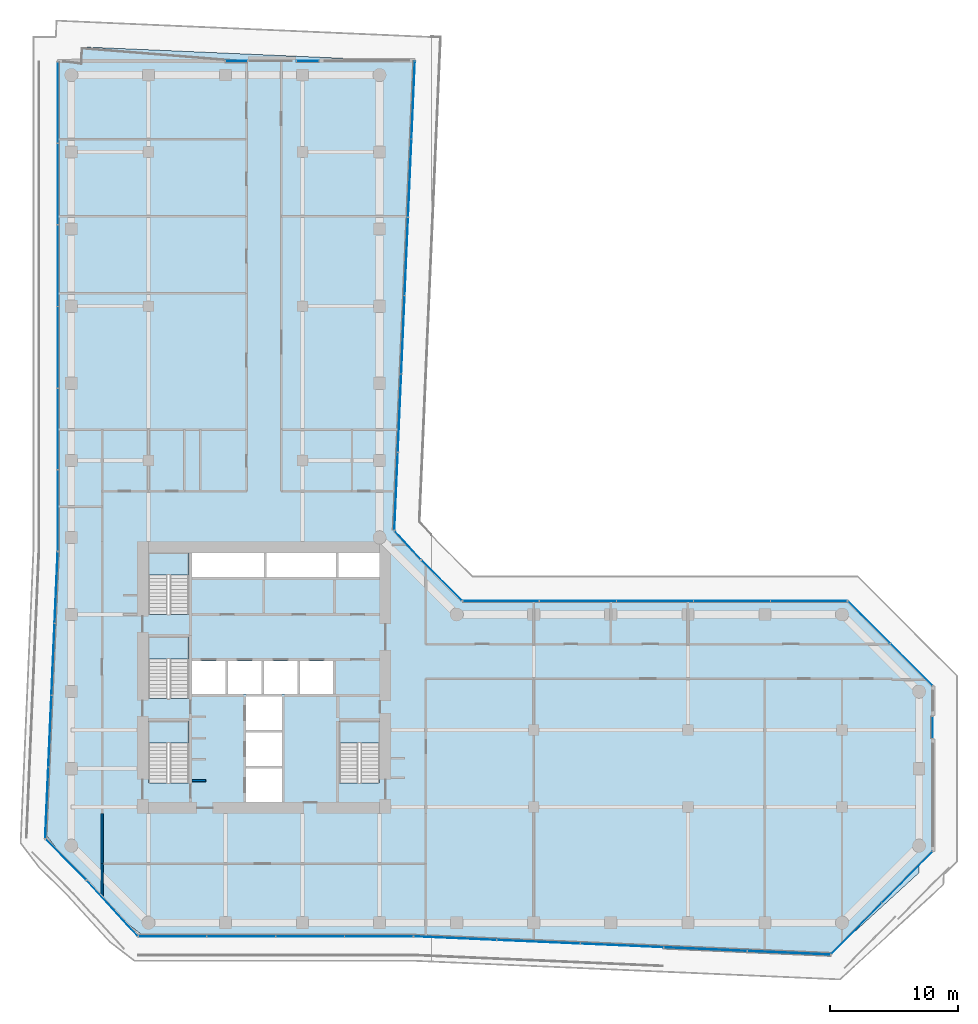
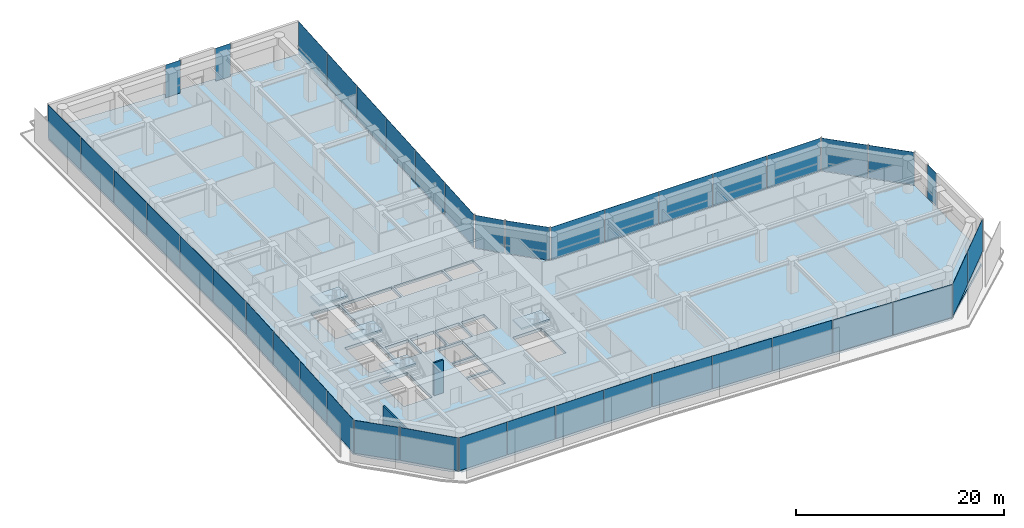
# One storey, part 22 of 29: 41 plates, 5 slabs, 3 walls, 19 elements without a shape of their own.
"""IFC4 building model written with IfcOpenShell, lengths in metres."""

import ifcopenshell
import ifcopenshell.guid

model = None  # the IFC model being written
_history = None  # IfcOwnerHistory: only IFC2X3 demands one
_inside = {}  # id of a spatial element -> (the spatial element, [elements in it])
_under = {}  # id of a project, library or spatial element -> (it, [spatial elements below it])
_declared = {}  # id of a project -> (the project, [libraries it declares])
_typed = {}  # id of a type object -> (the type object, [elements of that type])
_made_of = {}  # id of a material, layer set ... -> (it, [elements and type objects made of it])


def new_model(schema):
    """Start an empty IFC model of exactly this schema.

    Asked for "IFC4X3", IfcOpenShell would pick the latest addendum, in which some entities
    have other attributes; the version numbers below select the first issue.
    IFC2X3 requires an IfcOwnerHistory on every rooted entity: one is made here for all.
    """
    global model, _history
    if schema == "IFC4X3":
        model = ifcopenshell.file(schema_version=(4, 3, 0, 0))
    else:
        model = ifcopenshell.file(schema=schema)
    _inside.clear()
    _under.clear()
    _declared.clear()
    _typed.clear()
    _made_of.clear()
    _history = None
    if model.schema == "IFC2X3":
        org = make("IfcOrganization", Name="unknown")
        user = make(
            "IfcPersonAndOrganization",
            ThePerson=make("IfcPerson", FamilyName="unknown"),
            TheOrganization=org,
        )
        app = make(
            "IfcApplication",
            ApplicationDeveloper=org,
            Version="unknown",
            ApplicationFullName="unknown",
            ApplicationIdentifier="unknown",
        )
        _history = make(
            "IfcOwnerHistory",
            OwningUser=user,
            OwningApplication=app,
            ChangeAction="ADDED",
            CreationDate=0,
        )
    return model


def make(cls, **values):
    """One entity of the class cls with the attributes given. An attribute that is None is left unset."""
    return model.create_entity(
        cls, **{name: value for name, value in values.items() if value is not None}
    )


def rooted(cls, **values):
    """An entity with a GlobalId (a new one), such as an element, a storey or a relation."""
    return make(cls, GlobalId=ifcopenshell.guid.new(), OwnerHistory=_history, **values)


def si_unit(unit_type, name, prefix=None):
    """IfcSIUnit, for example si_unit("LENGTHUNIT", "METRE", prefix="MILLI")."""
    return make("IfcSIUnit", UnitType=unit_type, Prefix=prefix, Name=name)


def assignment(units):
    """IfcUnitAssignment: the units of a project."""
    return None if units is None else make("IfcUnitAssignment", Units=units)


def point(xyz):
    """IfcCartesianPoint."""
    return None if xyz is None else make("IfcCartesianPoint", Coordinates=xyz)


def direction(xyz):
    """IfcDirection."""
    return None if xyz is None else make("IfcDirection", DirectionRatios=xyz)


def frame(location, z_axis=None, x_axis=None):
    """IfcAxis2Placement3D, a coordinate frame: its origin and axes. An axis left out is left unset."""
    return make(
        "IfcAxis2Placement3D",
        Location=point(location),
        Axis=direction(z_axis),
        RefDirection=direction(x_axis),
    )


def frame_2d(location, x_axis=None):
    """IfcAxis2Placement2D, a coordinate frame in the plane: its origin and x axis."""
    return make(
        "IfcAxis2Placement2D", Location=point(location), RefDirection=direction(x_axis)
    )


def origin():
    """The frame at (0, 0, 0) with its axes left unset."""
    return frame((0.0, 0.0, 0.0))


def origin_2d():
    """The frame at (0, 0) in the plane with its x axis left unset."""
    return frame_2d((0.0, 0.0))


def place(relative_to, where):
    """IfcLocalPlacement: puts the frame where relative to a parent placement (None: the world)."""
    return make(
        "IfcLocalPlacement", PlacementRelTo=relative_to, RelativePlacement=where
    )


def context(
    kind, dimensions, precision=None, world=None, true_north=None, identifier=None
):
    """IfcGeometricRepresentationContext, for example the 3D "Model" context."""
    return make(
        "IfcGeometricRepresentationContext",
        ContextIdentifier=identifier,
        ContextType=kind,
        CoordinateSpaceDimension=dimensions,
        Precision=precision,
        WorldCoordinateSystem=world,
        TrueNorth=true_north,
    )


def subcontext(parent, identifier, kind, view, scale=None):
    """IfcGeometricRepresentationSubContext, for example "Body" below "Model"."""
    return make(
        "IfcGeometricRepresentationSubContext",
        ContextIdentifier=identifier,
        ContextType=kind,
        ParentContext=parent,
        TargetScale=scale,
        TargetView=view,
    )


def project(units=None, contexts=None):
    """IfcProject with its units and contexts."""
    return rooted(
        "IfcProject",
        Name="project",
        RepresentationContexts=contexts,
        UnitsInContext=assignment(units),
    )


def spatial(cls, under=None, at=None, **own):
    """A site, building, storey or space (cls), placed at a placement, below another one or the project."""
    s = rooted(cls, ObjectPlacement=at, **own)
    if under is not None:
        _under.setdefault(under.id(), (under, []))[1].append(s)
    return s


def polyline(points):
    """IfcPolyline through the points."""
    return make("IfcPolyline", Points=[point(p) for p in points])


def profile(cls, at=None, kind="AREA", **sizes):
    """A parametric profile (cls). Its sizes go by their IFC names, for example OverallWidth=200.0."""
    return make(cls, ProfileType=kind, Position=at, **sizes)


def rectangle(**sizes):
    """IfcRectangleProfileDef."""
    return profile("IfcRectangleProfileDef", **sizes)


def outline(outer, holes=None, kind="AREA"):
    """IfcArbitraryClosedProfileDef: a profile drawn as a closed curve; with holes, ...WithVoids."""
    if holes is None:
        return make("IfcArbitraryClosedProfileDef", ProfileType=kind, OuterCurve=outer)
    return make(
        "IfcArbitraryProfileDefWithVoids",
        ProfileType=kind,
        OuterCurve=outer,
        InnerCurves=holes,
    )


def extrude(swept, where, along, depth):
    """IfcExtrudedAreaSolid: the profile swept, set in the frame where, extruded along a direction by depth."""
    return make(
        "IfcExtrudedAreaSolid",
        SweptArea=swept,
        Position=where,
        ExtrudedDirection=direction(along),
        Depth=depth,
    )


def shape(context_of_items, identifier, shape_type, items):
    """IfcShapeRepresentation: the items that make up one representation, for example the "Body"."""
    return make(
        "IfcShapeRepresentation",
        ContextOfItems=context_of_items,
        RepresentationIdentifier=identifier,
        RepresentationType=shape_type,
        Items=items,
    )


def material(Name=None, Category=None):
    """IfcMaterial."""
    return make("IfcMaterial", Name=Name, Category=Category)


def layer(
    of_material, thickness, ventilated=None, Name=None, Category=None, Priority=None
):
    """IfcMaterialLayer: one layer of a wall or slab, of a material (None: an air gap)."""
    return make(
        "IfcMaterialLayer",
        Material=of_material,
        LayerThickness=thickness,
        IsVentilated=ventilated,
        Name=Name,
        Category=Category,
        Priority=Priority,
    )


def layer_set(layers, Name=None):
    """IfcMaterialLayerSet."""
    return make("IfcMaterialLayerSet", MaterialLayers=layers, LayerSetName=Name)


def made_of(thing, what):
    """Note that an element or type object is made of a material, layer set ...; save() writes the relation."""
    if what is not None:
        _made_of.setdefault(what.id(), (what, []))[1].append(thing)
    return thing


def type_object(cls, material=None, **own):
    """A type object (cls), such as IfcWallType, which elements share."""
    return made_of(rooted(cls, **own), material)


def element(
    cls,
    number,
    at=None,
    inside=None,
    cuts=None,
    type_object=None,
    material=None,
    context=None,
    identifier="Body",
    shape_type=None,
    held_by="IfcProductDefinitionShape",
    body=None,
    shapes=None,
    **own,
):
    """One element of the class cls, such as IfcWall. Its Tag is "e" and its number.

    at: its placement. inside: the storey or other place that contains it. cuts: it is an
    opening in that element (IfcRelVoidsElement). A single representation is given by context,
    identifier, shape_type and body (its items); several are given by shapes. held_by: the class
    of the entity that holds the representations. save() writes the other relations.
    """
    e = rooted(cls, Tag="e%d" % number, ObjectPlacement=at, **own)
    if body is not None:
        shapes = [shape(context, identifier, shape_type, body)]
    if shapes is not None:
        e.Representation = make(held_by, Representations=shapes)
    if inside is not None:
        _inside.setdefault(inside.id(), (inside, []))[1].append(e)
    if cuts is not None:
        rooted(
            "IfcRelVoidsElement", RelatingBuildingElement=cuts, RelatedOpeningElement=e
        )
    if type_object is not None:
        _typed.setdefault(type_object.id(), (type_object, []))[1].append(e)
    return made_of(e, material)


def aggregate(whole, parts):
    """IfcRelAggregates: a whole, such as a stair, and the parts it consists of."""
    return rooted("IfcRelAggregates", RelatingObject=whole, RelatedObjects=parts)


def save(model, path):
    """Write the relations noted so far, then the file.

    IfcRelAggregates (storeys below a building ...), IfcRelContainedInSpatialStructure (elements
    in a storey), IfcRelDefinesByType, IfcRelAssociatesMaterial and IfcRelDeclares: one each for
    every whole, place, type object, material and project.
    """
    for whole, parts in _under.values():
        aggregate(whole, parts)
    for where, things in _inside.values():
        rooted(
            "IfcRelContainedInSpatialStructure",
            RelatedElements=things,
            RelatingStructure=where,
        )
    for kind, things in _typed.values():
        rooted("IfcRelDefinesByType", RelatedObjects=things, RelatingType=kind)
    for what, things in _made_of.values():
        rooted("IfcRelAssociatesMaterial", RelatedObjects=things, RelatingMaterial=what)
    for by, libraries in _declared.values():
        rooted("IfcRelDeclares", RelatingContext=by, RelatedDefinitions=libraries)
    model.write(path)


model = new_model("IFC4")

# Units and contexts
model_context = context("Model", 3, precision=1e-05, world=origin(), true_north=direction((0.0, 1.0)))
body_context = subcontext(model_context, "Body", "Model", "MODEL_VIEW")
ifc_project = project(units=[si_unit("LENGTHUNIT", "METRE"), si_unit("AREAUNIT", "SQUARE_METRE"), si_unit("VOLUMEUNIT", "CUBIC_METRE"), si_unit("PLANEANGLEUNIT", "RADIAN"), si_unit("MASSUNIT", "GRAM", prefix="KILO")], contexts=[model_context])

# Site, building, storey
site_placement = place(None, origin())
site = spatial("IfcSite", under=ifc_project, at=site_placement, CompositionType="ELEMENT")
building_placement = place(site_placement, origin())
building = spatial("IfcBuilding", under=site, at=building_placement, Name="Welwitschia Terrace Campus", CompositionType="ELEMENT")
storey_placement = place(building_placement, frame((0.0, 0.0, 41.60009765625)))
storey = spatial("IfcBuildingStorey", under=building, at=storey_placement, Name="L09", CompositionType="ELEMENT", Elevation=41.60009765625)

# Curtain wall, plates
ifc_material_1 = material(Name="Bronze anodised aluminium", Category="aluminium")
ifc_layer_1 = layer(ifc_material_1, 0.1201171875)
ifc_layer_set_1 = layer_set([ifc_layer_1], Name="Bronze anodised aluminium")
curtain_wall_type = type_object("IfcCurtainWallType", Name="Curtain wall CW2 tower 6000", PredefinedType="NOTDEFINED", material=ifc_layer_set_1)
curtain_wall_1_placement = place(storey_placement, origin())
curtain_wall_1 = element("IfcCurtainWall", 1, at=curtain_wall_1_placement, inside=storey, type_object=curtain_wall_type, Name="CW L09.0.0", PredefinedType="NOTDEFINED")
ifc_material_2 = material(Name="Tinted bronze-grey glass", Category="glass")
ifc_layer_2 = layer(ifc_material_2, 0.028076171875)
ifc_layer_set_2 = layer_set([ifc_layer_2], Name="Tinted bronze-grey glass")
plate_type = type_object("IfcPlateType", Name="Glass panel 28 tinted", PredefinedType="CURTAIN_PANEL", material=ifc_layer_set_2)
plate_1_placement = place(storey_placement, frame((-1.1806640625, 22.092529296875, -0.000244140625), z_axis=(0.0, 0.0, 1.0), x_axis=(-0.043619387365, -0.999048221582, 0.0)))
plate_1 = element("IfcPlate", 2, at=plate_1_placement, type_object=plate_type, Name="Panel L09.0.0.0", PredefinedType="CURTAIN_PANEL", context=body_context, shape_type="SweptSolid", body=[
    extrude(rectangle(XDim=5.506591796875, YDim=0.028076171875, at=origin_2d()), origin(), (0.0, 0.0, 1.0), 3.85009765625),
])
plate_2_placement = place(storey_placement, frame((-1.424072265625, 16.516357421875, -0.000244140625), z_axis=(0.0, 0.0, 1.0), x_axis=(-0.043619387365, -0.999048221582, 0.0)))
plate_2 = element("IfcPlate", 3, at=plate_2_placement, type_object=plate_type, Name="Panel L09.0.0.1", PredefinedType="CURTAIN_PANEL", context=body_context, shape_type="SweptSolid", body=[
    extrude(rectangle(XDim=5.53662109375, YDim=0.028076171875, at=origin_2d()), origin(), (0.0, 0.0, 1.0), 3.85009765625),
])
plate_3_placement = place(storey_placement, frame((-1.668212890625, 10.925048828125, -0.000244140625), z_axis=(0.0, 0.0, 1.0), x_axis=(-0.043619387365, -0.999048221582, 0.0)))
plate_3 = element("IfcPlate", 4, at=plate_3_placement, type_object=plate_type, Name="Panel L09.0.0.2", PredefinedType="CURTAIN_PANEL", context=body_context, shape_type="SweptSolid", body=[
    extrude(rectangle(XDim=5.53662109375, YDim=0.028076171875, at=origin_2d()), origin(), (0.0, 0.0, 1.0), 3.85009765625),
])
plate_4_placement = place(storey_placement, frame((-1.911865234375, 5.348876953125, -0.000244140625), z_axis=(0.0, 0.0, 1.0), x_axis=(-0.043619387365, -0.999048221582, 0.0)))
plate_4 = element("IfcPlate", 5, at=plate_4_placement, type_object=plate_type, Name="Panel L09.0.0.3", PredefinedType="CURTAIN_PANEL", context=body_context, shape_type="SweptSolid", body=[
    extrude(rectangle(XDim=5.506591796875, YDim=0.028076171875, at=origin_2d()), origin(), (0.0, 0.0, 1.0), 3.85009765625),
])
aggregate(curtain_wall_1, [plate_1, plate_2, plate_3, plate_4])

# Curtain wall, plate
curtain_wall_2_placement = place(storey_placement, origin())
curtain_wall_2 = element("IfcCurtainWall", 6, at=curtain_wall_2_placement, inside=storey, type_object=curtain_wall_type, Name="CW L09.1.0", PredefinedType="NOTDEFINED")
plate_5_placement = place(storey_placement, frame((-0.423828125, 0.927734375, -0.000244140625), z_axis=(0.0, 0.0, 1.0), x_axis=(0.707106781187, -0.707106781187, 0.0)))
plate_5 = element("IfcPlate", 7, at=plate_5_placement, type_object=plate_type, Name="Panel L09.1.0.0", PredefinedType="CURTAIN_PANEL", context=body_context, shape_type="SweptSolid", body=[
    extrude(rectangle(XDim=4.435302734375, YDim=0.028076171875, at=origin_2d()), origin(), (0.0, 0.0, 1.0), 3.85009765625),
])
aggregate(curtain_wall_2, [plate_5])

curtain_wall_3_placement = place(storey_placement, origin())
curtain_wall_3 = element("IfcCurtainWall", 8, at=curtain_wall_3_placement, inside=storey, type_object=curtain_wall_type, Name="CW L09.2.0", PredefinedType="NOTDEFINED")
plate_6_placement = place(storey_placement, frame((3.191162109375, -2.870361328125, -0.000244140625), z_axis=(0.0, 0.0, 1.0), x_axis=(0.675590207616, -0.73727733681, 0.0)))
plate_6 = element("IfcPlate", 9, at=plate_6_placement, type_object=plate_type, Name="Panel L09.2.0.0", PredefinedType="CURTAIN_PANEL", context=body_context, shape_type="SweptSolid", body=[
    extrude(rectangle(XDim=5.814208984375, YDim=0.028076171875, at=origin_2d()), origin(), (0.0, 0.0, 1.0), 3.85009765625),
])
aggregate(curtain_wall_3, [plate_6])

# Curtain wall, plates
curtain_wall_4_placement = place(storey_placement, origin())
curtain_wall_4 = element("IfcCurtainWall", 10, at=curtain_wall_4_placement, inside=storey, type_object=curtain_wall_type, Name="CW L09.3.0", PredefinedType="NOTDEFINED")
plate_7_placement = place(storey_placement, frame((7.8896484375, -5.05810546875, -0.000244140625), z_axis=(0.0, 0.0, 1.0), x_axis=(1.0, 0.0, 0.0)))
plate_7 = element("IfcPlate", 11, at=plate_7_placement, type_object=plate_type, Name="Panel L09.3.0.0", PredefinedType="CURTAIN_PANEL", context=body_context, shape_type="SweptSolid", body=[
    extrude(rectangle(XDim=5.26806640625, YDim=0.028076171875, at=origin_2d()), origin(), (0.0, 0.0, 1.0), 3.85009765625),
])
plate_8_placement = place(storey_placement, frame((13.23291015625, -5.05810546875, -0.000244140625), z_axis=(0.0, 0.0, 1.0), x_axis=(1.0, 0.0, 0.0)))
plate_8 = element("IfcPlate", 12, at=plate_8_placement, type_object=plate_type, Name="Panel L09.3.0.1", PredefinedType="CURTAIN_PANEL", context=body_context, shape_type="SweptSolid", body=[
    extrude(rectangle(XDim=5.298095703125, YDim=0.028076171875, at=origin_2d()), origin(), (0.0, 0.0, 1.0), 3.85009765625),
])
plate_9_placement = place(storey_placement, frame((18.591064453125, -5.05810546875, -0.000244140625), z_axis=(0.0, 0.0, 1.0), x_axis=(1.0, 0.0, 0.0)))
plate_9 = element("IfcPlate", 13, at=plate_9_placement, type_object=plate_type, Name="Panel L09.3.0.2", PredefinedType="CURTAIN_PANEL", context=body_context, shape_type="SweptSolid", body=[
    extrude(rectangle(XDim=5.298095703125, YDim=0.028076171875, at=origin_2d()), origin(), (0.0, 0.0, 1.0), 3.85009765625),
])
plate_10_placement = place(storey_placement, frame((23.93408203125, -5.05810546875, -0.000244140625), z_axis=(0.0, 0.0, 1.0), x_axis=(1.0, 0.0, 0.0)))
plate_10 = element("IfcPlate", 14, at=plate_10_placement, type_object=plate_type, Name="Panel L09.3.0.3", PredefinedType="CURTAIN_PANEL", context=body_context, shape_type="SweptSolid", body=[
    extrude(rectangle(XDim=5.26806640625, YDim=0.028076171875, at=origin_2d()), origin(), (0.0, 0.0, 1.0), 3.85009765625),
])
aggregate(curtain_wall_4, [plate_7, plate_8, plate_9, plate_10])

curtain_wall_5_placement = place(storey_placement, origin())
curtain_wall_5 = element("IfcCurtainWall", 15, at=curtain_wall_5_placement, inside=storey, type_object=curtain_wall_type, Name="CW L09.4.0", PredefinedType="NOTDEFINED")
plate_11_placement = place(storey_placement, frame((29.89306640625, -5.200439453125, -0.000244140625), z_axis=(0.0, 0.0, 1.0), x_axis=(0.999048221582, -0.043619387365, 0.0)))
plate_11 = element("IfcPlate", 16, at=plate_11_placement, type_object=plate_type, Name="Panel L09.4.0.0", PredefinedType="CURTAIN_PANEL", context=body_context, shape_type="SweptSolid", body=[
    extrude(rectangle(XDim=6.416015625, YDim=0.028076171875, at=origin_2d()), origin(), (0.0, 0.0, 1.0), 3.85009765625),
])
plate_12_placement = place(storey_placement, frame((36.377685546875, -5.483642578125, -0.000244140625), z_axis=(0.0, 0.0, 1.0), x_axis=(0.999048221582, -0.043619387365, 0.0)))
plate_12 = element("IfcPlate", 17, at=plate_12_placement, type_object=plate_type, Name="Panel L09.4.0.1", PredefinedType="CURTAIN_PANEL", context=body_context, shape_type="SweptSolid", body=[
    extrude(rectangle(XDim=6.44580078125, YDim=0.028076171875, at=origin_2d()), origin(), (0.0, 0.0, 1.0), 3.85009765625),
])
plate_13_placement = place(storey_placement, frame((42.87744140625, -5.767578125, -0.000244140625), z_axis=(0.0, 0.0, 1.0), x_axis=(0.999048221582, -0.043619387365, 0.0)))
plate_13 = element("IfcPlate", 18, at=plate_13_placement, type_object=plate_type, Name="Panel L09.4.0.2", PredefinedType="CURTAIN_PANEL", context=body_context, shape_type="SweptSolid", body=[
    extrude(rectangle(XDim=6.44580078125, YDim=0.028076171875, at=origin_2d()), origin(), (0.0, 0.0, 1.0), 3.85009765625),
])
plate_14_placement = place(storey_placement, frame((49.377197265625, -6.05126953125, -0.000244140625), z_axis=(0.0, 0.0, 1.0), x_axis=(0.999048221582, -0.043619387365, 0.0)))
plate_14 = element("IfcPlate", 19, at=plate_14_placement, type_object=plate_type, Name="Panel L09.4.0.3", PredefinedType="CURTAIN_PANEL", context=body_context, shape_type="SweptSolid", body=[
    extrude(rectangle(XDim=6.44580078125, YDim=0.028076171875, at=origin_2d()), origin(), (0.0, 0.0, 1.0), 3.85009765625),
])
plate_15_placement = place(storey_placement, frame((55.86181640625, -6.33447265625, -0.000244140625), z_axis=(0.0, 0.0, 1.0), x_axis=(0.999048221582, -0.043619387365, 0.0)))
plate_15 = element("IfcPlate", 20, at=plate_15_placement, type_object=plate_type, Name="Panel L09.4.0.4", PredefinedType="CURTAIN_PANEL", context=body_context, shape_type="SweptSolid", body=[
    extrude(rectangle(XDim=6.416015625, YDim=0.028076171875, at=origin_2d()), origin(), (0.0, 0.0, 1.0), 3.85009765625),
])
aggregate(curtain_wall_5, [plate_11, plate_12, plate_13, plate_14, plate_15])

curtain_wall_6_placement = place(storey_placement, origin())
curtain_wall_6 = element("IfcCurtainWall", 21, at=curtain_wall_6_placement, inside=storey, type_object=curtain_wall_type, Name="CW L09.5.0", PredefinedType="NOTDEFINED")
plate_16_placement = place(storey_placement, frame((61.1201171875, -4.45654296875, -0.000244140625), z_axis=(0.0, 0.0, 1.0), x_axis=(0.702334741761, 0.711846830797, 0.0)))
plate_16 = element("IfcPlate", 22, at=plate_16_placement, type_object=plate_type, Name="Panel L09.5.0.0", PredefinedType="CURTAIN_PANEL", context=body_context, shape_type="SweptSolid", body=[
    extrude(rectangle(XDim=5.556396484375, YDim=0.028076171875, at=origin_2d()), origin(), (0.0, 0.0, 1.0), 3.85009765625),
])
plate_17_placement = place(storey_placement, frame((65.064697265625, -0.45849609375, -0.000244140625), z_axis=(0.0, 0.0, 1.0), x_axis=(0.702334741761, 0.711846830797, 0.0)))
plate_17 = element("IfcPlate", 23, at=plate_17_placement, type_object=plate_type, Name="Panel L09.5.0.1", PredefinedType="CURTAIN_PANEL", context=body_context, shape_type="SweptSolid", body=[
    extrude(rectangle(XDim=5.556396484375, YDim=0.028076171875, at=origin_2d()), origin(), (0.0, 0.0, 1.0), 3.85009765625),
])
aggregate(curtain_wall_6, [plate_16, plate_17])

# Curtain wall, plate
curtain_wall_7_placement = place(storey_placement, origin())
curtain_wall_7 = element("IfcCurtainWall", 24, at=curtain_wall_7_placement, inside=storey, type_object=curtain_wall_type, Name="CW L09.6.S0", PredefinedType="NOTDEFINED")
plate_18_placement = place(storey_placement, frame((67.05810546875, 11.21923828125, -0.000244140625), z_axis=(0.0, 0.0, 1.0), x_axis=(0.0, 1.0, 0.0)))
plate_18 = element("IfcPlate", 25, at=plate_18_placement, type_object=plate_type, Name="Panel L09.6.S0.0", PredefinedType="CURTAIN_PANEL", context=body_context, shape_type="SweptSolid", body=[
    extrude(rectangle(XDim=1.679931640625, YDim=0.028076171875, at=origin_2d()), origin(), (0.0, 0.0, 1.0), 3.85009765625),
])
aggregate(curtain_wall_7, [plate_18])

# Curtain wall, plates
curtain_wall_8_placement = place(storey_placement, origin())
curtain_wall_8 = element("IfcCurtainWall", 26, at=curtain_wall_8_placement, inside=storey, type_object=curtain_wall_type, Name="CW L09.7.0", PredefinedType="NOTDEFINED")
plate_19_placement = place(storey_placement, frame((65.392333984375, 16.103759765625, -0.000244140625), z_axis=(0.0, 0.0, 1.0), x_axis=(-0.707106781187, 0.707106781187, 0.0)))
plate_19 = element("IfcPlate", 27, at=plate_19_placement, type_object=plate_type, Name="Panel L09.7.0.0", PredefinedType="CURTAIN_PANEL", context=body_context, shape_type="SweptSolid", body=[
    extrude(rectangle(XDim=4.5908203125, YDim=0.028076171875, at=origin_2d()), origin(), (0.0, 0.0, 1.0), 3.85009765625),
])
plate_20_placement = place(storey_placement, frame((62.103759765625, 19.392333984375, -0.000244140625), z_axis=(0.0, 0.0, 1.0), x_axis=(-0.707106781187, 0.707106781187, 0.0)))
plate_20 = element("IfcPlate", 28, at=plate_20_placement, type_object=plate_type, Name="Panel L09.7.0.1", PredefinedType="CURTAIN_PANEL", context=body_context, shape_type="SweptSolid", body=[
    extrude(rectangle(XDim=4.5908203125, YDim=0.028076171875, at=origin_2d()), origin(), (0.0, 0.0, 1.0), 3.85009765625),
])
aggregate(curtain_wall_8, [plate_19, plate_20])

curtain_wall_9_placement = place(storey_placement, origin())
curtain_wall_9 = element("IfcCurtainWall", 29, at=curtain_wall_9_placement, inside=storey, type_object=curtain_wall_type, Name="CW L09.8.0", PredefinedType="NOTDEFINED")
plate_21_placement = place(storey_placement, frame((57.42333984375, 21.05810546875, -0.000244140625), z_axis=(0.0, 0.0, 1.0), x_axis=(-1.0, 0.0, 0.0)))
plate_21 = element("IfcPlate", 30, at=plate_21_placement, type_object=plate_type, Name="Panel L09.8.0.0", PredefinedType="CURTAIN_PANEL", context=body_context, shape_type="SweptSolid", body=[
    extrude(rectangle(XDim=5.909912109375, YDim=0.028076171875, at=origin_2d()), origin(), (0.0, 0.0, 1.0), 3.85009765625),
])
plate_22_placement = place(storey_placement, frame((51.438232421875, 21.05810546875, -0.000244140625), z_axis=(0.0, 0.0, 1.0), x_axis=(-1.0, 0.0, 0.0)))
plate_22 = element("IfcPlate", 31, at=plate_22_placement, type_object=plate_type, Name="Panel L09.8.0.1", PredefinedType="CURTAIN_PANEL", context=body_context, shape_type="SweptSolid", body=[
    extrude(rectangle(XDim=5.93994140625, YDim=0.028076171875, at=origin_2d()), origin(), (0.0, 0.0, 1.0), 3.85009765625),
])
plate_23_placement = place(storey_placement, frame((45.438232421875, 21.05810546875, -0.000244140625), z_axis=(0.0, 0.0, 1.0), x_axis=(-1.0, 0.0, 0.0)))
plate_23 = element("IfcPlate", 32, at=plate_23_placement, type_object=plate_type, Name="Panel L09.8.0.2", PredefinedType="CURTAIN_PANEL", context=body_context, shape_type="SweptSolid", body=[
    extrude(rectangle(XDim=5.93994140625, YDim=0.028076171875, at=origin_2d()), origin(), (0.0, 0.0, 1.0), 3.85009765625),
])
plate_24_placement = place(storey_placement, frame((39.438232421875, 21.05810546875, -0.000244140625), z_axis=(0.0, 0.0, 1.0), x_axis=(-1.0, 0.0, 0.0)))
plate_24 = element("IfcPlate", 33, at=plate_24_placement, type_object=plate_type, Name="Panel L09.8.0.3", PredefinedType="CURTAIN_PANEL", context=body_context, shape_type="SweptSolid", body=[
    extrude(rectangle(XDim=5.93994140625, YDim=0.028076171875, at=origin_2d()), origin(), (0.0, 0.0, 1.0), 3.85009765625),
])
plate_25_placement = place(storey_placement, frame((33.453125, 21.05810546875, -0.000244140625), z_axis=(0.0, 0.0, 1.0), x_axis=(-1.0, 0.0, 0.0)))
plate_25 = element("IfcPlate", 34, at=plate_25_placement, type_object=plate_type, Name="Panel L09.8.0.4", PredefinedType="CURTAIN_PANEL", context=body_context, shape_type="SweptSolid", body=[
    extrude(rectangle(XDim=5.909912109375, YDim=0.028076171875, at=origin_2d()), origin(), (0.0, 0.0, 1.0), 3.85009765625),
])
aggregate(curtain_wall_9, [plate_21, plate_22, plate_23, plate_24, plate_25])

# Curtain wall, plate
curtain_wall_10_placement = place(storey_placement, origin())
curtain_wall_10 = element("IfcCurtainWall", 35, at=curtain_wall_10_placement, inside=storey, type_object=curtain_wall_type, Name="CW L09.9.0", PredefinedType="NOTDEFINED")
plate_26_placement = place(storey_placement, frame((28.838623046875, 22.657470703125, -0.000244140625), z_axis=(0.0, 0.0, 1.0), x_axis=(-0.707106781187, 0.707106781187, 0.0)))
plate_26 = element("IfcPlate", 36, at=plate_26_placement, type_object=plate_type, Name="Panel L09.9.0.0", PredefinedType="CURTAIN_PANEL", context=body_context, shape_type="SweptSolid", body=[
    extrude(rectangle(XDim=4.404052734375, YDim=0.028076171875, at=origin_2d()), origin(), (0.0, 0.0, 1.0), 3.85009765625),
])
aggregate(curtain_wall_10, [plate_26])

curtain_wall_11_placement = place(storey_placement, origin())
curtain_wall_11 = element("IfcCurtainWall", 37, at=curtain_wall_11_placement, inside=storey, type_object=curtain_wall_type, Name="CW L09.10.0", PredefinedType="NOTDEFINED")
plate_27_placement = place(storey_placement, frame((26.196533203125, 25.394775390625, -0.000244140625), z_axis=(0.0, 0.0, 1.0), x_axis=(-0.675590207616, 0.73727733681, 0.0)))
plate_27 = element("IfcPlate", 38, at=plate_27_placement, type_object=plate_type, Name="Panel L09.10.0.0", PredefinedType="CURTAIN_PANEL", context=body_context, shape_type="SweptSolid", body=[
    extrude(rectangle(XDim=2.966552734375, YDim=0.028076171875, at=origin_2d()), origin(), (0.0, 0.0, 1.0), 3.85009765625),
])
aggregate(curtain_wall_11, [plate_27])

# Curtain wall, plates
curtain_wall_12_placement = place(storey_placement, origin())
curtain_wall_12 = element("IfcCurtainWall", 39, at=curtain_wall_12_placement, inside=storey, type_object=curtain_wall_type, Name="CW L09.11.0", PredefinedType="NOTDEFINED")
plate_28_placement = place(storey_placement, frame((25.287841796875, 29.596435546875, -0.000244140625), z_axis=(0.0, 0.0, 1.0), x_axis=(0.043619387365, 0.999048221582, 0.0)))
plate_28 = element("IfcPlate", 40, at=plate_28_placement, type_object=plate_type, Name="Panel L09.11.0.0", PredefinedType="CURTAIN_PANEL", context=body_context, shape_type="SweptSolid", body=[
    extrude(rectangle(XDim=6.01318359375, YDim=0.028076171875, at=origin_2d()), origin(), (0.0, 0.0, 1.0), 3.85009765625),
])
plate_29_placement = place(storey_placement, frame((25.553466796875, 35.678955078125, -0.000244140625), z_axis=(0.0, 0.0, 1.0), x_axis=(0.043619387365, 0.999048221582, 0.0)))
plate_29 = element("IfcPlate", 41, at=plate_29_placement, type_object=plate_type, Name="Panel L09.11.0.1", PredefinedType="CURTAIN_PANEL", context=body_context, shape_type="SweptSolid", body=[
    extrude(rectangle(XDim=6.043212890625, YDim=0.028076171875, at=origin_2d()), origin(), (0.0, 0.0, 1.0), 3.85009765625),
])
plate_30_placement = place(storey_placement, frame((25.819580078125, 41.7763671875, -0.000244140625), z_axis=(0.0, 0.0, 1.0), x_axis=(0.043619387365, 0.999048221582, 0.0)))
plate_30 = element("IfcPlate", 42, at=plate_30_placement, type_object=plate_type, Name="Panel L09.11.0.2", PredefinedType="CURTAIN_PANEL", context=body_context, shape_type="SweptSolid", body=[
    extrude(rectangle(XDim=6.043212890625, YDim=0.028076171875, at=origin_2d()), origin(), (0.0, 0.0, 1.0), 3.85009765625),
])
plate_31_placement = place(storey_placement, frame((26.085693359375, 47.873779296875, -0.000244140625), z_axis=(0.0, 0.0, 1.0), x_axis=(0.043619387365, 0.999048221582, 0.0)))
plate_31 = element("IfcPlate", 43, at=plate_31_placement, type_object=plate_type, Name="Panel L09.11.0.3", PredefinedType="CURTAIN_PANEL", context=body_context, shape_type="SweptSolid", body=[
    extrude(rectangle(XDim=6.043212890625, YDim=0.028076171875, at=origin_2d()), origin(), (0.0, 0.0, 1.0), 3.85009765625),
])
plate_32_placement = place(storey_placement, frame((26.35205078125, 53.97119140625, -0.000244140625), z_axis=(0.0, 0.0, 1.0), x_axis=(0.043619387365, 0.999048221582, 0.0)))
plate_32 = element("IfcPlate", 44, at=plate_32_placement, type_object=plate_type, Name="Panel L09.11.0.4", PredefinedType="CURTAIN_PANEL", context=body_context, shape_type="SweptSolid", body=[
    extrude(rectangle(XDim=6.043212890625, YDim=0.028076171875, at=origin_2d()), origin(), (0.0, 0.0, 1.0), 3.85009765625),
])
plate_33_placement = place(storey_placement, frame((26.61767578125, 60.0537109375, -0.000244140625), z_axis=(0.0, 0.0, 1.0), x_axis=(0.043619387365, 0.999048221582, 0.0)))
plate_33 = element("IfcPlate", 45, at=plate_33_placement, type_object=plate_type, Name="Panel L09.11.0.5", PredefinedType="CURTAIN_PANEL", context=body_context, shape_type="SweptSolid", body=[
    extrude(rectangle(XDim=6.01318359375, YDim=0.028076171875, at=origin_2d()), origin(), (0.0, 0.0, 1.0), 3.85009765625),
])
aggregate(curtain_wall_12, [plate_28, plate_29, plate_30, plate_31, plate_32, plate_33])

# Curtain wall, plate
curtain_wall_13_placement = place(storey_placement, origin())
curtain_wall_13 = element("IfcCurtainWall", 46, at=curtain_wall_13_placement, inside=storey, type_object=curtain_wall_type, Name="CW L09.12.S0", PredefinedType="NOTDEFINED")
plate_34_placement = place(storey_placement, frame((18.408447265625, 63.0986328125, -0.000244140625), z_axis=(0.0, 0.0, 1.0), x_axis=(-0.999997408626, -0.002276563587, 0.0)))
plate_34 = element("IfcPlate", 47, at=plate_34_placement, type_object=plate_type, Name="Panel L09.12.S0.0", PredefinedType="CURTAIN_PANEL", context=body_context, shape_type="SweptSolid", body=[
    extrude(rectangle(XDim=1.679931640625, YDim=0.028076171875, at=origin_2d()), origin(), (0.0, 0.0, 1.0), 3.85009765625),
])
aggregate(curtain_wall_13, [plate_34])

curtain_wall_14_placement = place(storey_placement, origin())
curtain_wall_14 = element("IfcCurtainWall", 48, at=curtain_wall_14_placement, inside=storey, type_object=curtain_wall_type, Name="CW L09.12.S1", PredefinedType="NOTDEFINED")
plate_35_placement = place(storey_placement, frame((12.8466796875, 63.0859375, -0.000244140625), z_axis=(0.0, 0.0, 1.0), x_axis=(-0.999997408626, -0.002276563587, 0.0)))
plate_35 = element("IfcPlate", 49, at=plate_35_placement, type_object=plate_type, Name="Panel L09.12.S1.0", PredefinedType="CURTAIN_PANEL", context=body_context, shape_type="SweptSolid", body=[
    extrude(rectangle(XDim=1.679931640625, YDim=0.028076171875, at=origin_2d()), origin(), (0.0, 0.0, 1.0), 3.85009765625),
])
aggregate(curtain_wall_14, [plate_35])

# Curtain wall, plates
curtain_wall_15_placement = place(storey_placement, origin())
curtain_wall_15 = element("IfcCurtainWall", 50, at=curtain_wall_15_placement, inside=storey, type_object=curtain_wall_type, Name="CW L09.13.0", PredefinedType="NOTDEFINED")
plate_36_placement = place(storey_placement, frame((-1.05810546875, 59.85986328125, -0.000244140625), z_axis=(0.0, 0.0, 1.0), x_axis=(0.0, -1.0, 0.0)))
plate_36 = element("IfcPlate", 51, at=plate_36_placement, type_object=plate_type, Name="Panel L09.13.0.0", PredefinedType="CURTAIN_PANEL", context=body_context, shape_type="SweptSolid", body=[
    extrude(rectangle(XDim=6.2685546875, YDim=0.028076171875, at=origin_2d()), origin(), (0.0, 0.0, 1.0), 3.85009765625),
])
plate_37_placement = place(storey_placement, frame((-1.05810546875, 53.516357421875, -0.000244140625), z_axis=(0.0, 0.0, 1.0), x_axis=(0.0, -1.0, 0.0)))
plate_37 = element("IfcPlate", 52, at=plate_37_placement, type_object=plate_type, Name="Panel L09.13.0.1", PredefinedType="CURTAIN_PANEL", context=body_context, shape_type="SweptSolid", body=[
    extrude(rectangle(XDim=6.298583984375, YDim=0.028076171875, at=origin_2d()), origin(), (0.0, 0.0, 1.0), 3.85009765625),
])
plate_38_placement = place(storey_placement, frame((-1.05810546875, 47.157958984375, -0.000244140625), z_axis=(0.0, 0.0, 1.0), x_axis=(0.0, -1.0, 0.0)))
plate_38 = element("IfcPlate", 53, at=plate_38_placement, type_object=plate_type, Name="Panel L09.13.0.2", PredefinedType="CURTAIN_PANEL", context=body_context, shape_type="SweptSolid", body=[
    extrude(rectangle(XDim=6.298583984375, YDim=0.028076171875, at=origin_2d()), origin(), (0.0, 0.0, 1.0), 3.85009765625),
])
plate_39_placement = place(storey_placement, frame((-1.05810546875, 40.799560546875, -0.000244140625), z_axis=(0.0, 0.0, 1.0), x_axis=(0.0, -1.0, 0.0)))
plate_39 = element("IfcPlate", 54, at=plate_39_placement, type_object=plate_type, Name="Panel L09.13.0.3", PredefinedType="CURTAIN_PANEL", context=body_context, shape_type="SweptSolid", body=[
    extrude(rectangle(XDim=6.298583984375, YDim=0.028076171875, at=origin_2d()), origin(), (0.0, 0.0, 1.0), 3.85009765625),
])
plate_40_placement = place(storey_placement, frame((-1.05810546875, 34.44091796875, -0.000244140625), z_axis=(0.0, 0.0, 1.0), x_axis=(0.0, -1.0, 0.0)))
plate_40 = element("IfcPlate", 55, at=plate_40_placement, type_object=plate_type, Name="Panel L09.13.0.4", PredefinedType="CURTAIN_PANEL", context=body_context, shape_type="SweptSolid", body=[
    extrude(rectangle(XDim=6.298583984375, YDim=0.028076171875, at=origin_2d()), origin(), (0.0, 0.0, 1.0), 3.85009765625),
])
plate_41_placement = place(storey_placement, frame((-1.05810546875, 28.097412109375, -0.000244140625), z_axis=(0.0, 0.0, 1.0), x_axis=(0.0, -1.0, 0.0)))
plate_41 = element("IfcPlate", 56, at=plate_41_placement, type_object=plate_type, Name="Panel L09.13.0.5", PredefinedType="CURTAIN_PANEL", context=body_context, shape_type="SweptSolid", body=[
    extrude(rectangle(XDim=6.2685546875, YDim=0.028076171875, at=origin_2d()), origin(), (0.0, 0.0, 1.0), 3.85009765625),
])
aggregate(curtain_wall_15, [plate_36, plate_37, plate_38, plate_39, plate_40, plate_41])

# Stair, slab
ifc_material_3 = material(Name="Concrete C40/50", Category="concrete")
stair_type = type_object("IfcStairType", Name="Stair 24R 175 W1500", PredefinedType="HALF_TURN_STAIR", material=ifc_material_3)
stair_1_placement = place(storey_placement, origin())
stair_1 = element("IfcStair", 57, at=stair_1_placement, inside=storey, type_object=stair_type, Name="L09 Exit stair S1", PredefinedType="HALF_TURN_STAIR")
ifc_material_4 = material(Name="Concrete C40/50", Category="concrete")
ifc_layer_3 = layer(ifc_material_4, 0.199951171875)
ifc_layer_set_3 = layer_set([ifc_layer_3], Name="Concrete C40/50")
slab_type_1 = type_object("IfcSlabType", Name="Stair landing RC", PredefinedType="LANDING", material=ifc_layer_set_3)
slab_1_placement = place(storey_placement, frame((0.0, 0.0, 1.89990234375)))
slab_1 = element("IfcSlab", 58, at=slab_1_placement, type_object=slab_type_1, Name="S1 landing 1", PredefinedType="LANDING", context=body_context, shape_type="SweptSolid", body=[
    extrude(outline(polyline([(9.14990234375, 9.97998046875), (9.14990234375, 11.699951171875), (6.0, 11.699951171875), (6.0, 9.97998046875), (9.14990234375, 9.97998046875)])), origin(), (0.0, 0.0, 1.0), 0.199951171875),
])
aggregate(stair_1, [slab_1])

stair_2_placement = place(storey_placement, origin())
stair_2 = element("IfcStair", 59, at=stair_2_placement, inside=storey, type_object=stair_type, Name="L09 Exit stair S3", PredefinedType="HALF_TURN_STAIR")
slab_2_placement = place(storey_placement, frame((0.0, 0.0, 1.89990234375)))
slab_2 = element("IfcSlab", 60, at=slab_2_placement, type_object=slab_type_1, Name="S3 landing 1", PredefinedType="LANDING", context=body_context, shape_type="SweptSolid", body=[
    extrude(outline(polyline([(9.14990234375, 16.530029296875), (9.14990234375, 18.25), (6.0, 18.25), (6.0, 16.530029296875), (9.14990234375, 16.530029296875)])), origin(), (0.0, 0.0, 1.0), 0.199951171875),
])
aggregate(stair_2, [slab_2])

stair_3_placement = place(storey_placement, origin())
stair_3 = element("IfcStair", 61, at=stair_3_placement, inside=storey, type_object=stair_type, Name="L09 Exit stair S4", PredefinedType="HALF_TURN_STAIR")
slab_3_placement = place(storey_placement, frame((0.0, 0.0, 1.89990234375)))
slab_3 = element("IfcSlab", 62, at=slab_3_placement, type_object=slab_type_1, Name="S4 landing 1", PredefinedType="LANDING", context=body_context, shape_type="SweptSolid", body=[
    extrude(outline(polyline([(9.14990234375, 23.080078125), (9.14990234375, 24.800048828125), (6.0, 24.800048828125), (6.0, 23.080078125), (9.14990234375, 23.080078125)])), origin(), (0.0, 0.0, 1.0), 0.199951171875),
])
aggregate(stair_3, [slab_3])

stair_4_placement = place(storey_placement, origin())
stair_4 = element("IfcStair", 63, at=stair_4_placement, inside=storey, type_object=stair_type, Name="L09 Exit stair S2", PredefinedType="HALF_TURN_STAIR")
slab_4_placement = place(storey_placement, frame((0.0, 0.0, 1.89990234375)))
slab_4 = element("IfcSlab", 64, at=slab_4_placement, type_object=slab_type_1, Name="S2 landing 1", PredefinedType="LANDING", context=body_context, shape_type="SweptSolid", body=[
    extrude(outline(polyline([(24.0, 9.97998046875), (24.0, 11.699951171875), (20.85009765625, 11.699951171875), (20.85009765625, 9.97998046875), (24.0, 9.97998046875)])), origin(), (0.0, 0.0, 1.0), 0.199951171875),
])
aggregate(stair_4, [slab_4])

# Slab
ifc_material_5 = material(Name="Concrete C40/50", Category="concrete")
ifc_layer_4 = layer(ifc_material_5, 0.35009765625)
ifc_layer_set_4 = layer_set([ifc_layer_4], Name="Concrete C40/50")
slab_type_2 = type_object("IfcSlabType", Name="Suspended floor slab 350", PredefinedType="FLOOR", material=ifc_layer_set_4)
slab_5_placement = place(storey_placement, frame((0.0, 0.0, -0.35009765625)))
element("IfcSlab", 65, at=slab_5_placement, inside=storey, type_object=slab_type_2, Name="Floor slab L09", PredefinedType="FLOOR", context=body_context, shape_type="SweptSolid", body=[
    extrude(outline(polyline([(-1.0, 63.0), (0.663330078125, 63.0), (0.715576171875, 64.1962890625), (26.69091796875, 63.06201171875), (25.094970703125, 26.51123046875), (27.197265625, 24.217041015625), (30.414306640625, 21.0), (60.414306640625, 21.0), (67.0, 14.414306640625), (67.0, 1.585693359375), (66.003173828125, 0.589111328125), (65.97216796875, -0.125732421875), (59.105224609375, -6.41796875), (26.62939453125, -5.0), (5.585693359375, -5.0), (4.3291015625, -4.0263671875), (1.228515625, -0.642822265625), (-1.0, 1.585693359375), (-1.963134765625, 2.84033203125), (-1.0, 24.90185546875), (-1.0, 63.0)]), holes=[polyline([(13.60009765625, 8.0), (13.60009765625, 5.39990234375), (16.39990234375, 5.39990234375), (16.39990234375, 8.0), (13.60009765625, 8.0)]), polyline([(9.14990234375, 11.699951171875), (6.0, 11.699951171875), (6.0, 6.902099609375), (9.14990234375, 6.902099609375), (9.14990234375, 11.699951171875)]), polyline([(12.0, 16.39990234375), (9.39990234375, 16.39990234375), (9.39990234375, 13.800048828125), (12.0, 13.800048828125), (12.0, 16.39990234375)]), polyline([(14.800048828125, 16.39990234375), (12.199951171875, 16.39990234375), (12.199951171875, 13.800048828125), (14.800048828125, 13.800048828125), (14.800048828125, 16.39990234375)]), polyline([(9.14990234375, 18.25), (6.0, 18.25), (6.0, 13.451904296875), (9.14990234375, 13.451904296875), (9.14990234375, 18.25)]), polyline([(9.14990234375, 24.800048828125), (6.0, 24.800048828125), (6.0, 20.001953125), (9.14990234375, 20.001953125), (9.14990234375, 24.800048828125)]), polyline([(15.0, 24.800048828125), (9.39990234375, 24.800048828125), (9.39990234375, 22.89990234375), (15.0, 22.89990234375), (15.0, 24.800048828125)]), polyline([(20.85009765625, 11.699951171875), (20.85009765625, 6.902099609375), (24.0, 6.902099609375), (24.0, 11.699951171875), (20.85009765625, 11.699951171875)]), polyline([(16.39990234375, 10.800048828125), (13.60009765625, 10.800048828125), (13.60009765625, 8.199951171875), (16.39990234375, 8.199951171875), (16.39990234375, 10.800048828125)]), polyline([(16.39990234375, 13.60009765625), (13.60009765625, 13.60009765625), (13.60009765625, 11.0), (16.39990234375, 11.0), (16.39990234375, 13.60009765625)]), polyline([(17.60009765625, 16.39990234375), (15.0, 16.39990234375), (15.0, 13.800048828125), (17.60009765625, 13.800048828125), (17.60009765625, 16.39990234375)]), polyline([(20.39990234375, 16.39990234375), (17.800048828125, 16.39990234375), (17.800048828125, 13.800048828125), (20.39990234375, 13.800048828125), (20.39990234375, 16.39990234375)]), polyline([(20.60009765625, 24.800048828125), (15.199951171875, 24.800048828125), (15.199951171875, 22.89990234375), (20.60009765625, 22.89990234375), (20.60009765625, 24.800048828125)]), polyline([(24.0, 24.800048828125), (20.800048828125, 24.800048828125), (20.800048828125, 22.89990234375), (24.0, 22.89990234375), (24.0, 24.800048828125)])]), origin(), (0.0, 0.0, 1.0), 0.35009765625),
])

# Walls
ifc_material_6 = material(Name="Concrete C50/60", Category="concrete")
ifc_layer_5 = layer(ifc_material_6, 0.14990234375)
ifc_layer_set_5 = layer_set([ifc_layer_5], Name="Concrete C50/60")
wall_type_1 = type_object("IfcWallType", Name="Core wall 150 Concrete C50/60", PredefinedType="SHEAR", material=ifc_layer_set_5)
wall_1_placement = place(storey_placement, frame((9.39990234375, 7.074951171875, 0.0), z_axis=(0.0, 0.0, 1.0), x_axis=(1.0, 0.0, 0.0)))
element("IfcWall", 66, at=wall_1_placement, inside=storey, type_object=wall_type_1, Name="Core wall", PredefinedType="SHEAR", context=body_context, shape_type="SweptSolid", body=[
    extrude(rectangle(XDim=1.050048828125, YDim=0.14990234375, at=frame_2d((0.52490234375, 0.0))), origin(), (0.0, 0.0, 1.0), 3.849853515625),
])
ifc_material_7 = material(Name="Gypsum board on steel studs", Category="steel")
ifc_layer_6 = layer(ifc_material_7, 0.14990234375)
ifc_layer_set_6 = layer_set([ifc_layer_6], Name="Gypsum board on steel studs")
wall_type_2 = type_object("IfcWallType", Name="Corridor partition 150 EI 30", PredefinedType="PARTITIONING", material=ifc_layer_set_6)
wall_2_placement = place(storey_placement, frame((2.39990234375, -1.918212890625, 0.0), z_axis=(0.0, 0.0, 1.0), x_axis=(0.0, 1.0, 0.0)))
element("IfcWall", 67, at=wall_2_placement, inside=storey, type_object=wall_type_2, Name="Partition", PredefinedType="PARTITIONING", context=body_context, shape_type="SweptSolid", body=[
    extrude(rectangle(XDim=2.518310546875, YDim=0.14990234375, at=frame_2d((1.25927734375, 0.0))), origin(), (0.0, 0.0, 1.0), 2.829833984375),
])
wall_3_placement = place(storey_placement, frame((2.39990234375, 0.60009765625, 0.0), z_axis=(0.0, 0.0, 1.0), x_axis=(0.0, 1.0, 0.0)))
element("IfcWall", 68, at=wall_3_placement, inside=storey, type_object=wall_type_2, Name="Partition", PredefinedType="PARTITIONING", context=body_context, shape_type="SweptSolid", body=[
    extrude(rectangle(XDim=3.89990234375, YDim=0.14990234375, at=frame_2d((1.949951171875, 0.0))), origin(), (0.0, 0.0, 1.0), 2.829833984375),
])

save(model, "model.ifc")
